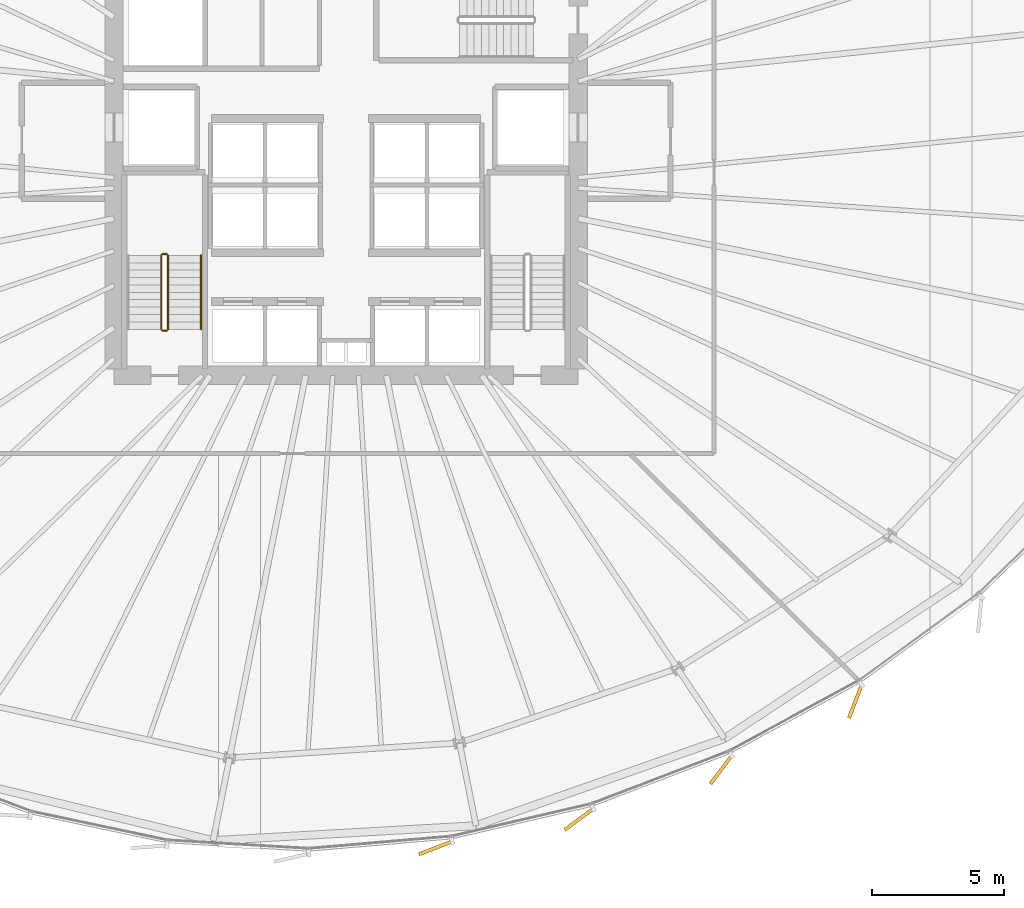
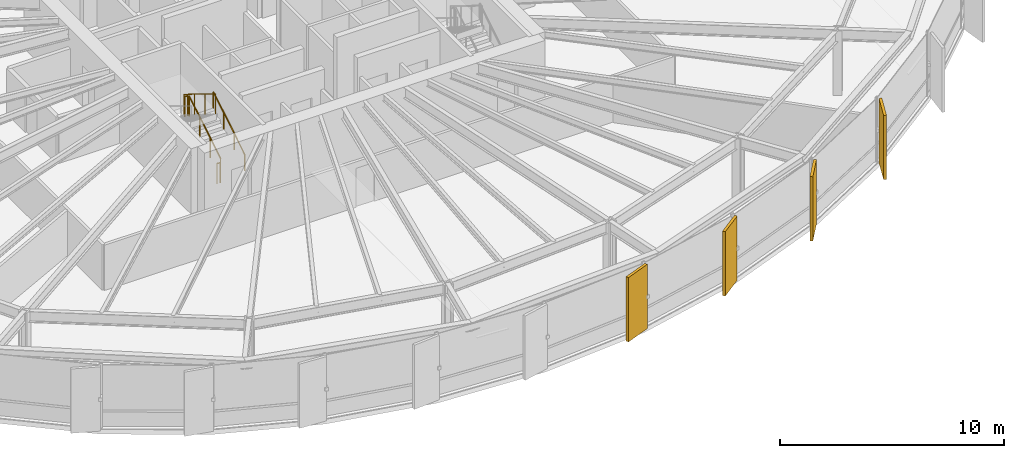
# One storey, part 36 of 38: 5 railings, 4 coverings.
"""IFC4 building model written with IfcOpenShell, lengths in metres."""

from ifc_helpers import new_model, si_unit, direction, frame, origin, origin_2d, place, context, subcontext, project, spatial, rectangle, circle, extrude, source, transform, mapped, material, layer, layer_set, type_object, element, save


model = new_model("IFC4")

# Units and contexts
model_context = context("Model", 3, precision=1e-05, world=origin(), true_north=direction((0.0, 1.0)))
body_context = subcontext(model_context, "Body", "Model", "MODEL_VIEW")
ifc_project = project(units=[si_unit("LENGTHUNIT", "METRE"), si_unit("AREAUNIT", "SQUARE_METRE"), si_unit("VOLUMEUNIT", "CUBIC_METRE"), si_unit("PLANEANGLEUNIT", "RADIAN"), si_unit("MASSUNIT", "GRAM", prefix="KILO"), si_unit("THERMODYNAMICTEMPERATUREUNIT", "KELVIN")], contexts=[model_context])

# Site, building, storey
site_placement = place(None, origin())
site = spatial("IfcSite", under=ifc_project, at=site_placement, CompositionType="ELEMENT")
building_placement = place(site_placement, origin())
building = spatial("IfcBuilding", under=site, at=building_placement, Name="Kethvar Cultural Tower", CompositionType="ELEMENT")
storey_placement = place(building_placement, frame((0.0, 0.0, 67.60009765625)))
storey = spatial("IfcBuildingStorey", under=building, at=storey_placement, Name="L16", CompositionType="ELEMENT", Elevation=67.60009765625)

# Railings
ifc_material_1 = material(Name="Steel S355J2", Category="steel")
railing_type_1 = type_object("IfcRailingType", Name="RL-STAIR-GUARD", PredefinedType="BALUSTRADE", material=ifc_material_1)
railing_1_placement = place(storey_placement, frame((40.050048828125, 21.85009765625, 0.172607421875)))
element("IfcRailing", 1, at=railing_1_placement, inside=storey, type_object=railing_type_1, Name="L16 ST-01 stair guard 1", PredefinedType="BALUSTRADE", context=body_context, shape_type="SweptSolid", body=[
    extrude(circle(Radius=0.02392578125, at=origin_2d()), frame((0.0, 0.0, 1.09619140625), z_axis=(0.0, 0.851069175582, 0.525053576669), x_axis=(-1.0, 0.0, 0.0)), (0.0, 0.0, 1.0), 3.289794921875),
    extrude(circle(Radius=0.02099609375, at=origin_2d()), origin(), (0.0, 0.0, 1.0), 1.072021484375),
    extrude(circle(Radius=0.02099609375, at=origin_2d()), frame((0.0, 0.933349609375, 0.57568359375)), (0.0, 0.0, 1.0), 1.072021484375),
    extrude(circle(Radius=0.02099609375, at=origin_2d()), frame((0.0, 1.866455078125, 1.151611328125)), (0.0, 0.0, 1.0), 1.072021484375),
    extrude(circle(Radius=0.02099609375, at=origin_2d()), frame((0.0, 2.7998046875, 1.727294921875)), (0.0, 0.0, 1.0), 1.072021484375),
])
railing_2_placement = place(storey_placement, frame((40.0, 24.699951171875, 1.89990234375)))
element("IfcRailing", 2, at=railing_2_placement, inside=storey, type_object=railing_type_1, Name="L16 ST-01 stair guard 2", PredefinedType="BALUSTRADE", context=body_context, shape_type="SweptSolid", body=[
    extrude(circle(Radius=0.02392578125, at=origin_2d()), frame((0.0, 0.0, 1.09619140625), z_axis=(-1.0, 0.0, 0.0), x_axis=(0.0, -1.0, 0.0)), (0.0, 0.0, 1.0), 0.159912109375),
    extrude(circle(Radius=0.02099609375, at=origin_2d()), origin(), (0.0, 0.0, 1.0), 1.072021484375),
    extrude(circle(Radius=0.02099609375, at=origin_2d()), frame((-0.159912109375, 0.0, 0.0)), (0.0, 0.0, 1.0), 1.072021484375),
])
railing_3_placement = place(storey_placement, frame((39.7900390625, 24.64990234375, 2.072509765625)))
element("IfcRailing", 3, at=railing_3_placement, inside=storey, type_object=railing_type_1, Name="L16 ST-01 stair guard 3", PredefinedType="BALUSTRADE", context=body_context, shape_type="SweptSolid", body=[
    extrude(circle(Radius=0.02392578125, at=origin_2d()), frame((0.0, 0.0, 1.09619140625), z_axis=(0.0, -0.851069175582, 0.525053576669), x_axis=(1.0, 0.0, 0.0)), (0.0, 0.0, 1.0), 3.289794921875),
    extrude(circle(Radius=0.02099609375, at=origin_2d()), origin(), (0.0, 0.0, 1.0), 1.072021484375),
    extrude(circle(Radius=0.02099609375, at=origin_2d()), frame((0.0, -0.933349609375, 0.57568359375)), (0.0, 0.0, 1.0), 1.072021484375),
    extrude(circle(Radius=0.02099609375, at=origin_2d()), frame((0.0, -1.866455078125, 1.151611328125)), (0.0, 0.0, 1.0), 1.072021484375),
    extrude(circle(Radius=0.02099609375, at=origin_2d()), frame((0.0, -2.7998046875, 1.727294921875)), (0.0, 0.0, 1.0), 1.072021484375),
])
railing_4_placement = place(storey_placement, frame((40.0, 21.800048828125, 0.0)))
element("IfcRailing", 4, at=railing_4_placement, inside=storey, type_object=railing_type_1, Name="L16 ST-01 stair guard 4", PredefinedType="BALUSTRADE", context=body_context, shape_type="SweptSolid", body=[
    extrude(circle(Radius=0.02392578125, at=origin_2d()), frame((0.0, 0.0, 1.09619140625), z_axis=(-1.0, 0.0, 0.0), x_axis=(0.0, -1.0, 0.0)), (0.0, 0.0, 1.0), 0.159912109375),
    extrude(circle(Radius=0.02099609375, at=origin_2d()), origin(), (0.0, 0.0, 1.0), 1.072021484375),
    extrude(circle(Radius=0.02099609375, at=origin_2d()), frame((-0.159912109375, 0.0, 0.0)), (0.0, 0.0, 1.0), 1.072021484375),
])
railing_type_2 = type_object("IfcRailingType", Name="RL-STAIR-HANDRAIL", PredefinedType="HANDRAIL", material=ifc_material_1)
railing_5_placement = place(storey_placement, frame((41.300048828125, 21.85009765625, 0.172607421875)))
element("IfcRailing", 5, at=railing_5_placement, inside=storey, type_object=railing_type_2, Name="L16 ST-01 stair handrail 1", PredefinedType="HANDRAIL", context=body_context, shape_type="SweptSolid", body=[
    extrude(circle(Radius=0.02392578125, at=origin_2d()), frame((0.0, 0.0, 0.8759765625), z_axis=(0.0, 0.851069175582, 0.525053576669), x_axis=(-1.0, 0.0, 0.0)), (0.0, 0.0, 1.0), 3.289794921875),
    extrude(circle(Radius=0.02099609375, at=origin_2d()), origin(), (0.0, 0.0, 1.0), 0.851806640625),
    extrude(circle(Radius=0.02099609375, at=origin_2d()), frame((0.0, 0.933349609375, 0.57568359375)), (0.0, 0.0, 1.0), 0.851806640625),
    extrude(circle(Radius=0.02099609375, at=origin_2d()), frame((0.0, 1.866455078125, 1.151611328125)), (0.0, 0.0, 1.0), 0.851806640625),
    extrude(circle(Radius=0.02099609375, at=origin_2d()), frame((0.0, 2.7998046875, 1.727294921875)), (0.0, 0.0, 1.0), 0.851806640625),
])

# Coverings
ifc_material_2 = material(Name="Extruded Architectural Terracotta", Category="masonry")
ifc_layer = layer(ifc_material_2, 0.135009765625, Name="Extruded Architectural Terracotta", Category="masonry")
ifc_layer_set = layer_set([ifc_layer], Name="Extruded Architectural Terracotta (135 mm)")
covering_type = type_object("IfcCoveringType", Name="Terracotta Facade Fin FIN-01", PredefinedType="CLADDING", material=ifc_layer_set)
shared_shape = source(origin(), body_context, "Body", "SweptSolid", [
    extrude(rectangle(XDim=1.35009765625, YDim=0.135009765625, at=origin_2d()), origin(), (0.0, 0.0, 1.0), 3.510009765625),
])
for number, where, z_axis, x_axis, name in (
    (6, (50.19482421875, 2.182373046875, 0.02001953125), (0.0, 0.0, 1.0), (-0.933141900818, -0.359508265466, 0.0), "L16 Vertical Terracotta Fin 5.5"),
    (7, (55.63427734375, 3.26611328125, 0.02001953125), (0.0, 0.0, 1.0), (-0.803025548019, -0.595944602483, 0.0), "L16 Vertical Terracotta Fin 5.6"),
    (8, (61.025390625, 5.14794921875, 0.02001953125), (0.0, 0.0, 1.0), (-0.60083885691, -0.799370169588, 0.0), "L16 Vertical Terracotta Fin 6.1"),
    (9, (66.11474609375, 7.73828125, 0.02001953125), (0.0, 0.0, 1.0), (-0.359508265466, -0.933141900818, 0.0), "L16 Vertical Terracotta Fin 6.2"),
):
    element("IfcCovering", number, at=place(storey_placement, frame(where, z_axis=z_axis, x_axis=x_axis)), inside=storey, type_object=covering_type, Name=name, PredefinedType="CLADDING", context=body_context, shape_type="MappedRepresentation", body=[
        mapped(shared_shape, transform((0.0, 0.0, 0.0), scale=1.0)),
    ])

save(model, "model.ifc")
